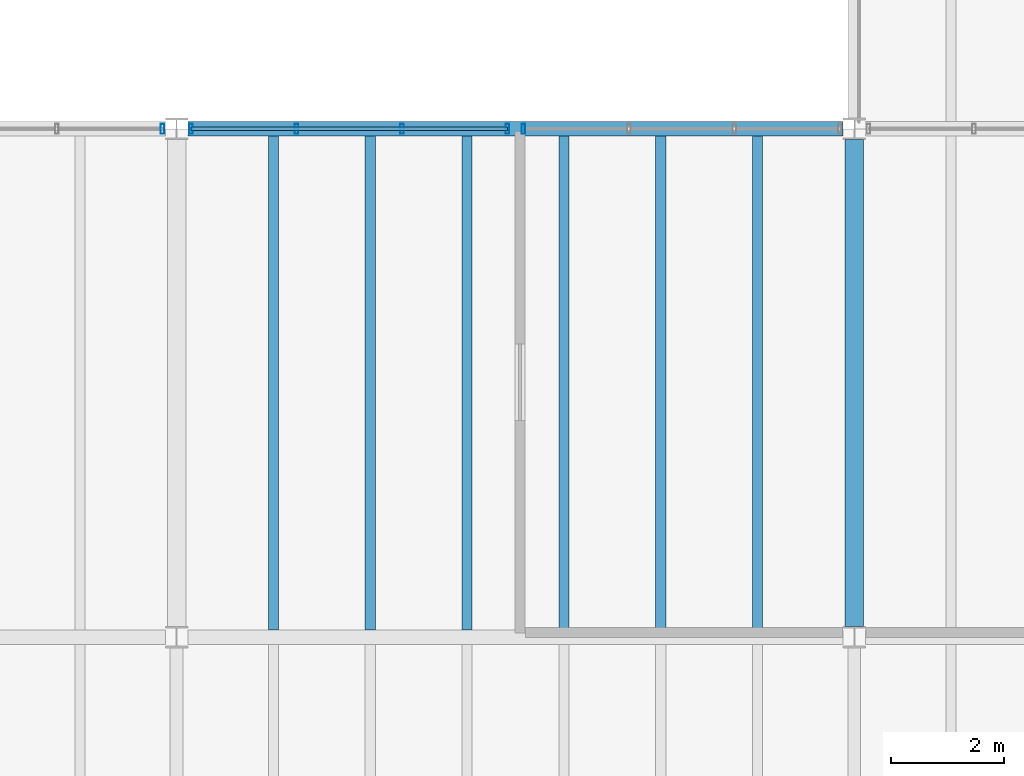
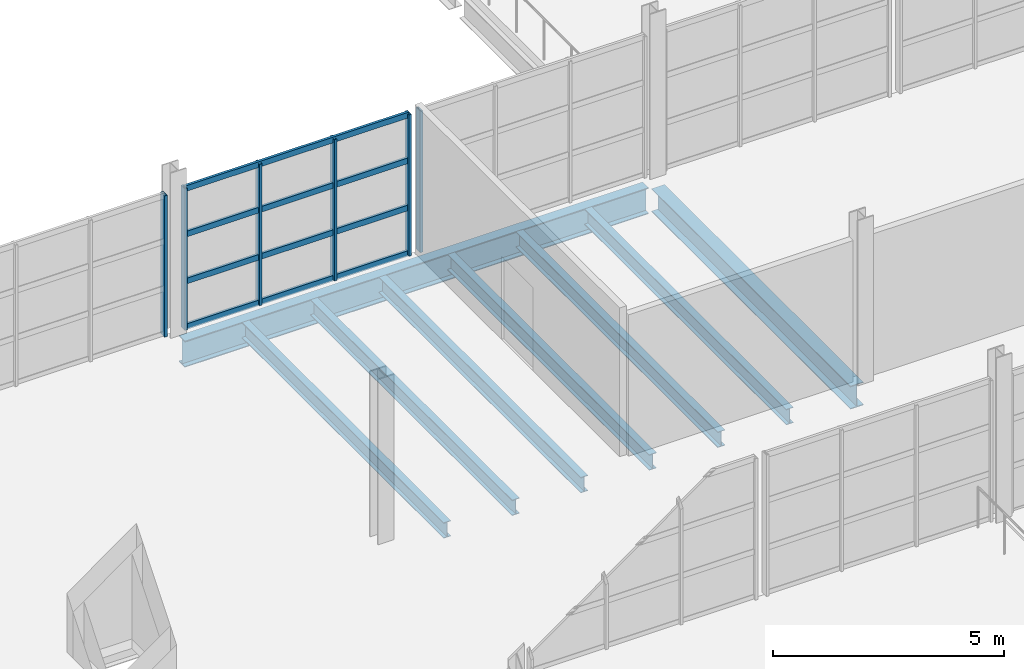
# One storey, part 30 of 78: 10 members, 8 beams, 3 elements without a shape of their own.
"""IFC4 building model written with IfcOpenShell, lengths in metres."""

from ifc_helpers import new_model, si_unit, direction, frame, origin, origin_2d, place, context, subcontext, project, spatial, hollow_rectangle, i_section, extrude, material, material_profile, profile_set, type_object, element, aggregate, save


model = new_model("IFC4")

# Units and contexts
model_context = context("Model", 3, precision=1e-05, world=origin(), true_north=direction((0.0, 1.0)))
body_context = subcontext(model_context, "Body", "Model", "MODEL_VIEW")
ifc_project = project(units=[si_unit("LENGTHUNIT", "METRE"), si_unit("AREAUNIT", "SQUARE_METRE"), si_unit("VOLUMEUNIT", "CUBIC_METRE"), si_unit("PLANEANGLEUNIT", "RADIAN"), si_unit("MASSUNIT", "GRAM", prefix="KILO")], contexts=[model_context])

# Site, building, storey
site_placement = place(None, origin())
site = spatial("IfcSite", under=ifc_project, at=site_placement, CompositionType="ELEMENT")
building_placement = place(site_placement, origin())
building = spatial("IfcBuilding", under=site, at=building_placement, Name="Kelmvaro Bay Concert Hall", CompositionType="ELEMENT")
storey_placement = place(building_placement, frame((0.0, 0.0, 9.300048828125)))
storey = spatial("IfcBuildingStorey", under=building, at=storey_placement, Name="L02", CompositionType="ELEMENT", Elevation=9.300048828125)

# Curtain wall, member
ifc_material_1 = material(Name="Anodised Aluminium and Low-E Insulated Glazing", Category="aluminium")
curtain_wall_type = type_object("IfcCurtainWallType", Name="Upper Salon Waterfront Curtain Wall 4050", PredefinedType="USERDEFINED", material=ifc_material_1)
curtain_wall_1_placement = place(storey_placement, origin())
curtain_wall_1 = element("IfcCurtainWall", 1, at=curtain_wall_1_placement, inside=storey, type_object=curtain_wall_type, Name="Unitised Curtain Wall CW-L02-094", ObjectType="UNITISED GLAZING", PredefinedType="USERDEFINED")
ifc_material_2 = material(Name="Anodised Extruded Aluminium 6063-T6", Category="aluminium")
ifc_material_profile_1 = material_profile(ifc_material_2, hollow_rectangle(XDim=0.06494140625, YDim=0.179931640625, WallThickness=0.00390625, at=origin_2d()), Name="ALU-MUL-180X65")
ifc_profile_set_1 = profile_set([ifc_material_profile_1], Name="Anodised Extruded Aluminium 6063-T6")
member_type_1 = type_object("IfcMemberType", Name="Curtain Mullion ALU 180x65", PredefinedType="MULLION", material=ifc_profile_set_1)
member_1_placement = place(storey_placement, frame((95.7470703125, 39.0, 0.0), z_axis=(0.0, 0.0, 1.0), x_axis=(1.0, 0.0, 0.0)))
member_1 = element("IfcMember", 2, at=member_1_placement, type_object=member_type_1, Name="CW-L02-094 Mullion 04", PredefinedType="MULLION", context=body_context, shape_type="SweptSolid", body=[
    extrude(hollow_rectangle(XDim=0.06494140625, YDim=0.179931640625, WallThickness=0.00390625, at=origin_2d()), origin(), (0.0, 0.0, 1.0), 3.739013671875),
])
aggregate(curtain_wall_1, [member_1])

# Curtain wall, members
curtain_wall_2_placement = place(storey_placement, origin())
curtain_wall_2 = element("IfcCurtainWall", 3, at=curtain_wall_2_placement, inside=storey, type_object=curtain_wall_type, Name="Unitised Curtain Wall CW-L02-095", ObjectType="UNITISED GLAZING", PredefinedType="USERDEFINED")
member_2_placement = place(storey_placement, frame((96.2529296875, 39.0, 0.0), z_axis=(0.0, 0.0, 1.0), x_axis=(1.0, 0.0, 0.0)))
member_2 = element("IfcMember", 4, at=member_2_placement, type_object=member_type_1, Name="CW-L02-095 Mullion 01", PredefinedType="MULLION", context=body_context, shape_type="SweptSolid", body=[
    extrude(hollow_rectangle(XDim=0.06494140625, YDim=0.179931640625, WallThickness=0.00390625, at=origin_2d()), origin(), (0.0, 0.0, 1.0), 3.739013671875),
])
member_3_placement = place(storey_placement, frame((98.1220703125, 39.0, 0.0), z_axis=(0.0, 0.0, 1.0), x_axis=(1.0, 0.0, 0.0)))
member_3 = element("IfcMember", 5, at=member_3_placement, type_object=member_type_1, Name="CW-L02-095 Mullion 02", PredefinedType="MULLION", context=body_context, shape_type="SweptSolid", body=[
    extrude(hollow_rectangle(XDim=0.06494140625, YDim=0.179931640625, WallThickness=0.00390625, at=origin_2d()), origin(), (0.0, 0.0, 1.0), 3.739013671875),
])
member_4_placement = place(storey_placement, frame((99.990966796875, 39.0, 0.0), z_axis=(0.0, 0.0, 1.0), x_axis=(1.0, 0.0, 0.0)))
member_4 = element("IfcMember", 6, at=member_4_placement, type_object=member_type_1, Name="CW-L02-095 Mullion 03", PredefinedType="MULLION", context=body_context, shape_type="SweptSolid", body=[
    extrude(hollow_rectangle(XDim=0.06494140625, YDim=0.179931640625, WallThickness=0.00390625, at=origin_2d()), origin(), (0.0, 0.0, 1.0), 3.739013671875),
])
member_5_placement = place(storey_placement, frame((101.860107421875, 39.0, 0.0), z_axis=(0.0, 0.0, 1.0), x_axis=(1.0, 0.0, 0.0)))
member_5 = element("IfcMember", 7, at=member_5_placement, type_object=member_type_1, Name="CW-L02-095 Mullion 04", PredefinedType="MULLION", context=body_context, shape_type="SweptSolid", body=[
    extrude(hollow_rectangle(XDim=0.06494140625, YDim=0.179931640625, WallThickness=0.00390625, at=origin_2d()), origin(), (0.0, 0.0, 1.0), 3.739013671875),
])

# Curtain wall, member
curtain_wall_3_placement = place(storey_placement, origin())
curtain_wall_3 = element("IfcCurtainWall", 8, at=curtain_wall_3_placement, inside=storey, type_object=curtain_wall_type, Name="Unitised Curtain Wall CW-L02-096", ObjectType="UNITISED GLAZING", PredefinedType="USERDEFINED")
member_6_placement = place(storey_placement, frame((102.139892578125, 39.0, 0.0), z_axis=(0.0, 0.0, 1.0), x_axis=(1.0, 0.0, 0.0)))
member_6 = element("IfcMember", 9, at=member_6_placement, type_object=member_type_1, Name="CW-L02-096 Mullion 01", PredefinedType="MULLION", context=body_context, shape_type="SweptSolid", body=[
    extrude(hollow_rectangle(XDim=0.06494140625, YDim=0.179931640625, WallThickness=0.00390625, at=origin_2d()), origin(), (0.0, 0.0, 1.0), 3.739013671875),
])
aggregate(curtain_wall_3, [member_6])

# Member
ifc_material_3 = material(Name="Anodised Extruded Aluminium 6063-T6", Category="aluminium")
ifc_material_profile_2 = material_profile(ifc_material_3, hollow_rectangle(XDim=0.06494140625, YDim=0.14990234375, WallThickness=0.00390625, at=origin_2d()), Name="ALU-TRN-150X65")
ifc_profile_set_2 = profile_set([ifc_material_profile_2], Name="Anodised Extruded Aluminium 6063-T6")
member_type_2 = type_object("IfcMemberType", Name="Curtain Transom ALU 150x65", PredefinedType="USERDEFINED", material=ifc_profile_set_2)
member_7_placement = place(storey_placement, frame((96.2529296875, 39.0, 0.0400390625), z_axis=(1.0, 0.0, 0.0), x_axis=(0.0, 1.0, 0.0)))
member_7 = element("IfcMember", 10, at=member_7_placement, type_object=member_type_2, Name="CW-L02-095 Transom 01", ObjectType="TRANSOM", PredefinedType="USERDEFINED", context=body_context, shape_type="SweptSolid", body=[
    extrude(hollow_rectangle(XDim=0.06494140625, YDim=0.14990234375, WallThickness=0.00390625, at=origin_2d()), origin(), (0.0, 0.0, 1.0), 5.607177734375),
])

member_8_placement = place(storey_placement, frame((96.2529296875, 39.0, 1.246337890625), z_axis=(1.0, 0.0, 0.0), x_axis=(0.0, 1.0, 0.0)))
member_8 = element("IfcMember", 11, at=member_8_placement, type_object=member_type_2, Name="CW-L02-095 Transom 02", ObjectType="TRANSOM", PredefinedType="USERDEFINED", context=body_context, shape_type="SweptSolid", body=[
    extrude(hollow_rectangle(XDim=0.06494140625, YDim=0.14990234375, WallThickness=0.00390625, at=origin_2d()), origin(), (0.0, 0.0, 1.0), 5.607177734375),
])

member_9_placement = place(storey_placement, frame((96.2529296875, 39.0, 2.49267578125), z_axis=(1.0, 0.0, 0.0), x_axis=(0.0, 1.0, 0.0)))
member_9 = element("IfcMember", 12, at=member_9_placement, type_object=member_type_2, Name="CW-L02-095 Transom 03", ObjectType="TRANSOM", PredefinedType="USERDEFINED", context=body_context, shape_type="SweptSolid", body=[
    extrude(hollow_rectangle(XDim=0.06494140625, YDim=0.14990234375, WallThickness=0.00390625, at=origin_2d()), origin(), (0.0, 0.0, 1.0), 5.607177734375),
])

member_10_placement = place(storey_placement, frame((96.2529296875, 39.0, 3.698974609375), z_axis=(1.0, 0.0, 0.0), x_axis=(0.0, 1.0, 0.0)))
member_10 = element("IfcMember", 13, at=member_10_placement, type_object=member_type_2, Name="CW-L02-095 Transom 04", ObjectType="TRANSOM", PredefinedType="USERDEFINED", context=body_context, shape_type="SweptSolid", body=[
    extrude(hollow_rectangle(XDim=0.06494140625, YDim=0.14990234375, WallThickness=0.00390625, at=origin_2d()), origin(), (0.0, 0.0, 1.0), 5.607177734375),
])

aggregate(curtain_wall_2, [member_2, member_3, member_4, member_5, member_7, member_8, member_9, member_10])

# Beams
ifc_material_4 = material(Name="Steel ASTM A992 Grade 50", Category="steel")
ifc_material_profile_3 = material_profile(ifc_material_4, i_section(OverallWidth=0.323974609375, OverallDepth=0.611083984375, WebThickness=0.0126953125, FlangeThickness=0.01904296875, at=origin_2d()), Name="W24X104")
ifc_profile_set_3 = profile_set([ifc_material_profile_3], Name="Steel ASTM A992 Grade 50")
beam_type_1 = type_object("IfcBeamType", Name="Foyer Frame Girder W24x104", PredefinedType="BEAM", material=ifc_profile_set_3)
beam_1_placement = place(storey_placement, frame((108.0, 30.1904296875, -0.5556640625), z_axis=(0.0, 1.0, 0.0), x_axis=(-1.0, 0.0, 0.0)))
element("IfcBeam", 14, at=beam_1_placement, inside=storey, type_object=beam_type_1, Name="L02 Girder BM-L02-NS-0852", PredefinedType="BEAM", context=body_context, shape_type="SweptSolid", body=[
    extrude(i_section(OverallWidth=0.323974609375, OverallDepth=0.611083984375, WebThickness=0.0126953125, FlangeThickness=0.01904296875, at=origin_2d()), origin(), (0.0, 0.0, 1.0), 8.619140625),
])
ifc_material_5 = material(Name="Steel ASTM A992 Grade 50", Category="steel")
ifc_material_profile_4 = material_profile(ifc_material_5, i_section(OverallWidth=0.256103515625, OverallDepth=0.693115234375, WebThickness=0.014404296875, FlangeThickness=0.023681640625, at=origin_2d()), Name="W27X114")
ifc_profile_set_4 = profile_set([ifc_material_profile_4], Name="Steel ASTM A992 Grade 50")
beam_type_2 = type_object("IfcBeamType", Name="Foyer Primary Girder W27x114", PredefinedType="BEAM", material=ifc_profile_set_4)
beam_2_placement = place(storey_placement, frame((96.197998046875, 39.0, -0.596435546875), z_axis=(1.0, 0.0, 0.0), x_axis=(0.0, 1.0, 0.0)))
element("IfcBeam", 15, at=beam_2_placement, inside=storey, type_object=beam_type_2, Name="L02 Girder BM-L02-EW-0729", PredefinedType="BEAM", context=body_context, shape_type="SweptSolid", body=[
    extrude(i_section(OverallWidth=0.256103515625, OverallDepth=0.693115234375, WebThickness=0.014404296875, FlangeThickness=0.023681640625, at=origin_2d()), origin(), (0.0, 0.0, 1.0), 11.60400390625),
])
ifc_material_6 = material(Name="Steel ASTM A992 Grade 50", Category="steel")
ifc_material_profile_5 = material_profile(ifc_material_6, i_section(OverallWidth=0.179931640625, OverallDepth=0.4140625, WebThickness=0.009765625, FlangeThickness=0.01611328125, at=origin_2d()), Name="W16X50")
ifc_profile_set_5 = profile_set([ifc_material_profile_5], Name="Steel ASTM A992 Grade 50")
beam_type_3 = type_object("IfcBeamType", Name="Terrace Composite Joist W16x50", PredefinedType="JOIST", material=ifc_profile_set_5)
for number, where, z_axis, x_axis, name in (
    (16, (97.71435546875, 30.1279296875, -0.45703125), (0.0, 1.0, 0.0), (-1.0, 0.0, 0.0), "L02 Floor Joist JST-L02-1060"),
    (17, (99.4287109375, 30.1279296875, -0.45703125), (0.0, 1.0, 0.0), (-1.0, 0.0, 0.0), "L02 Floor Joist JST-L02-1061"),
    (18, (101.142822265625, 30.1279296875, -0.45703125), (0.0, 1.0, 0.0), (-1.0, 0.0, 0.0), "L02 Floor Joist JST-L02-1062"),
    (19, (102.857177734375, 30.1279296875, -0.45703125), (0.0, 1.0, 0.0), (-1.0, 0.0, 0.0), "L02 Floor Joist JST-L02-1063"),
    (20, (104.5712890625, 30.1279296875, -0.45703125), (0.0, 1.0, 0.0), (-1.0, 0.0, 0.0), "L02 Floor Joist JST-L02-1064"),
    (21, (106.28564453125, 30.1279296875, -0.45703125), (0.0, 1.0, 0.0), (-1.0, 0.0, 0.0), "L02 Floor Joist JST-L02-1065"),
):
    element("IfcBeam", number, at=place(storey_placement, frame(where, z_axis=z_axis, x_axis=x_axis)), inside=storey, type_object=beam_type_3, Name=name, PredefinedType="JOIST", context=body_context, shape_type="SweptSolid", body=[
        extrude(i_section(OverallWidth=0.179931640625, OverallDepth=0.4140625, WebThickness=0.009765625, FlangeThickness=0.01611328125, at=origin_2d()), origin(), (0.0, 0.0, 1.0), 8.744140625),
    ])

save(model, "model.ifc")
